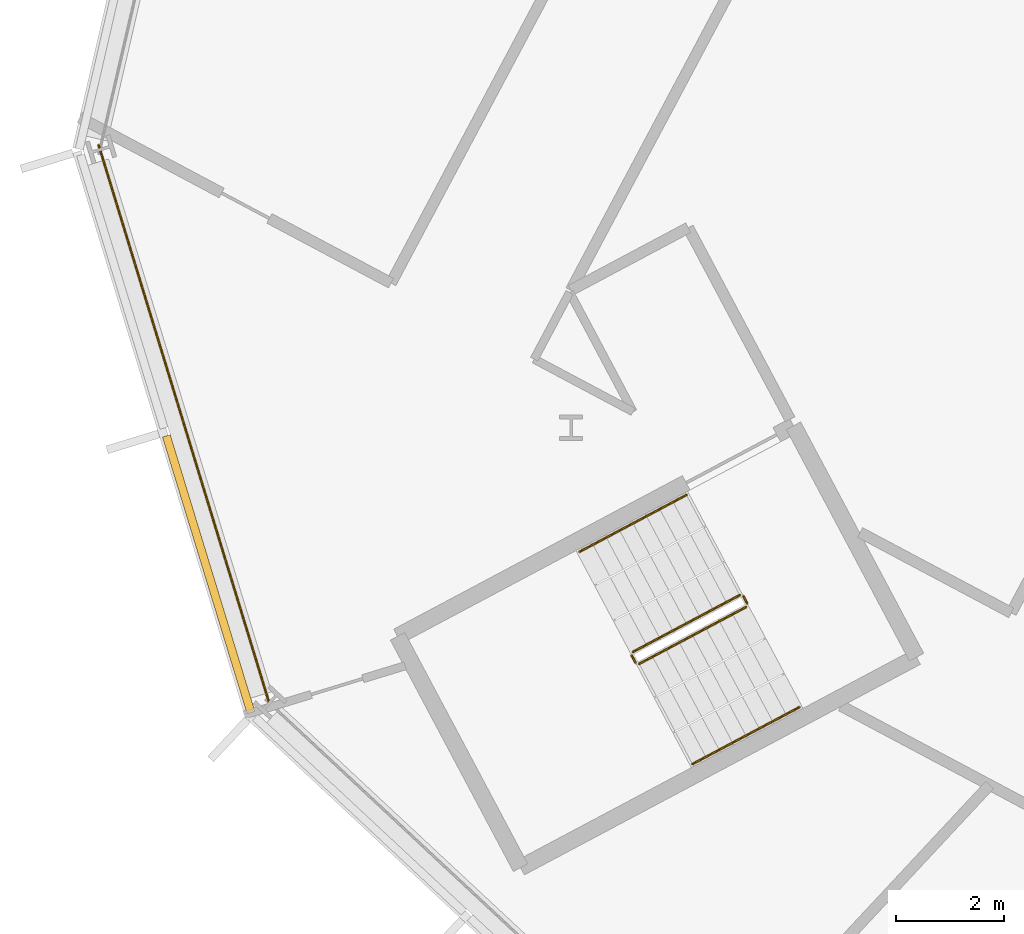
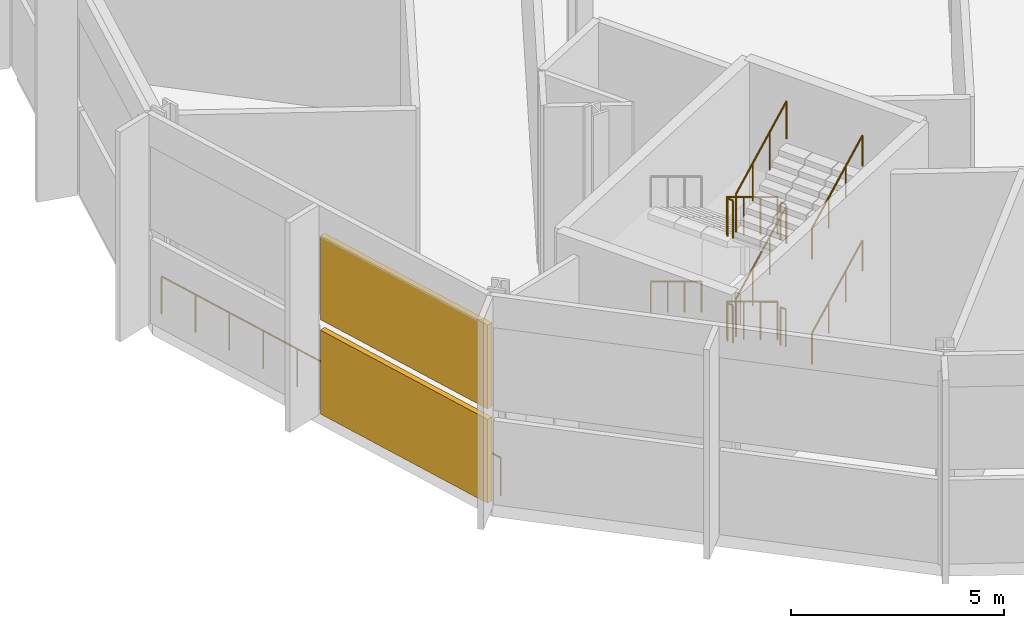
# One storey, part 23 of 33: 12 railings, 2 shading devices, 1 element without a shape of its own.
"""IFC4 building model written with IfcOpenShell, lengths in metres."""

from ifc_helpers import new_model, si_unit, direction, frame, origin, origin_2d, place, context, subcontext, project, spatial, polyline, rectangle, outline, extrude, material, layer, layer_set, type_object, element, aggregate, save


model = new_model("IFC4")

# Units and contexts
model_context = context("Model", 3, precision=1e-05, world=origin(), true_north=direction((0.0, 1.0)))
body_context = subcontext(model_context, "Body", "Model", "MODEL_VIEW")
ifc_project = project(units=[si_unit("LENGTHUNIT", "METRE"), si_unit("AREAUNIT", "SQUARE_METRE"), si_unit("VOLUMEUNIT", "CUBIC_METRE"), si_unit("PLANEANGLEUNIT", "RADIAN"), si_unit("MASSUNIT", "GRAM", prefix="KILO")], contexts=[model_context])

# Site, building, storey
site_placement = place(None, origin())
site = spatial("IfcSite", under=ifc_project, at=site_placement, CompositionType="ELEMENT")
building_placement = place(site_placement, origin())
building = spatial("IfcBuilding", under=site, at=building_placement, Name="Cormorant Relay Tower", CompositionType="ELEMENT")
storey_placement = place(building_placement, frame((0.0, 0.0, 183.60009765625)))
storey = spatial("IfcBuildingStorey", under=building, at=storey_placement, Name="L39", CompositionType="ELEMENT", Elevation=183.60009765625)

# Railing
ifc_material_1 = material(Name="Stainless steel 316 guard", Category="steel")
railing_type_1 = type_object("IfcRailingType", Name="Band louvre guard 1100", PredefinedType="GUARDRAIL", material=ifc_material_1)
railing_1_placement = place(storey_placement, frame((-60.43310546875, 20.48095703125, 0.0)))
element("IfcRailing", 1, at=railing_1_placement, inside=storey, type_object=railing_type_1, Name="CW4 guard 14", PredefinedType="GUARDRAIL", context=body_context, shape_type="SweptSolid", body=[
    extrude(outline(polyline([(0.022216796875, 0.00927734375), (0.00927734375, 0.022216796875), (-0.00927734375, 0.022216796875), (-0.022216796875, 0.00927734375), (-0.022216796875, -0.00927734375), (-0.00927734375, -0.022216796875), (0.00927734375, -0.022216796875), (0.022216796875, -0.00927734375), (0.022216796875, 0.00927734375)])), frame((0.0, 0.0, 1.076171875), z_axis=(0.292377729282, -0.95630291405, 0.0), x_axis=(0.95630291405, 0.292377729282, 0.0)), (0.0, 0.0, 1.0), 10.870361328125),
    extrude(outline(polyline([(0.019287109375, 0.008056640625), (0.008056640625, 0.019287109375), (-0.008056640625, 0.019287109375), (-0.019287109375, 0.008056640625), (-0.019287109375, -0.008056640625), (-0.008056640625, -0.019287109375), (0.008056640625, -0.019287109375), (0.019287109375, -0.008056640625), (0.019287109375, 0.008056640625)])), origin(), (0.0, 0.0, 1.0), 1.052001953125),
    extrude(outline(polyline([(0.019287109375, 0.008056640625), (0.008056640625, 0.019287109375), (-0.008056640625, 0.019287109375), (-0.019287109375, 0.008056640625), (-0.019287109375, -0.008056640625), (-0.008056640625, -0.019287109375), (0.008056640625, -0.019287109375), (0.019287109375, -0.008056640625), (0.019287109375, 0.008056640625)])), frame((0.31787109375, -1.03955078125, 0.0)), (0.0, 0.0, 1.0), 1.052001953125),
    extrude(outline(polyline([(0.019287109375, 0.008056640625), (0.008056640625, 0.019287109375), (-0.008056640625, 0.019287109375), (-0.019287109375, 0.008056640625), (-0.019287109375, -0.008056640625), (-0.008056640625, -0.019287109375), (0.008056640625, -0.019287109375), (0.019287109375, -0.008056640625), (0.019287109375, 0.008056640625)])), frame((0.6357421875, -2.0791015625, 0.0)), (0.0, 0.0, 1.0), 1.052001953125),
    extrude(outline(polyline([(0.019287109375, 0.008056640625), (0.008056640625, 0.019287109375), (-0.008056640625, 0.019287109375), (-0.019287109375, 0.008056640625), (-0.019287109375, -0.008056640625), (-0.008056640625, -0.019287109375), (0.008056640625, -0.019287109375), (0.019287109375, -0.008056640625), (0.019287109375, 0.008056640625)])), frame((0.953369140625, -3.11865234375, 0.0)), (0.0, 0.0, 1.0), 1.052001953125),
    extrude(outline(polyline([(0.019287109375, 0.008056640625), (0.008056640625, 0.019287109375), (-0.008056640625, 0.019287109375), (-0.019287109375, 0.008056640625), (-0.019287109375, -0.008056640625), (-0.008056640625, -0.019287109375), (0.008056640625, -0.019287109375), (0.019287109375, -0.008056640625), (0.019287109375, 0.008056640625)])), frame((1.271240234375, -4.158203125, 0.0)), (0.0, 0.0, 1.0), 1.052001953125),
    extrude(outline(polyline([(0.019287109375, 0.008056640625), (0.008056640625, 0.019287109375), (-0.008056640625, 0.019287109375), (-0.019287109375, 0.008056640625), (-0.019287109375, -0.008056640625), (-0.008056640625, -0.019287109375), (0.008056640625, -0.019287109375), (0.019287109375, -0.008056640625), (0.019287109375, 0.008056640625)])), frame((1.589111328125, -5.19775390625, 0.0)), (0.0, 0.0, 1.0), 1.052001953125),
    extrude(outline(polyline([(0.019287109375, 0.008056640625), (0.008056640625, 0.019287109375), (-0.008056640625, 0.019287109375), (-0.019287109375, 0.008056640625), (-0.019287109375, -0.008056640625), (-0.008056640625, -0.019287109375), (0.008056640625, -0.019287109375), (0.019287109375, -0.008056640625), (0.019287109375, 0.008056640625)])), frame((1.906982421875, -6.237060546875, 0.0)), (0.0, 0.0, 1.0), 1.052001953125),
    extrude(outline(polyline([(0.019287109375, 0.008056640625), (0.008056640625, 0.019287109375), (-0.008056640625, 0.019287109375), (-0.019287109375, 0.008056640625), (-0.019287109375, -0.008056640625), (-0.008056640625, -0.019287109375), (0.008056640625, -0.019287109375), (0.019287109375, -0.008056640625), (0.019287109375, 0.008056640625)])), frame((2.224853515625, -7.276611328125, 0.0)), (0.0, 0.0, 1.0), 1.052001953125),
    extrude(outline(polyline([(0.019287109375, 0.008056640625), (0.008056640625, 0.019287109375), (-0.008056640625, 0.019287109375), (-0.019287109375, 0.008056640625), (-0.019287109375, -0.008056640625), (-0.008056640625, -0.019287109375), (0.008056640625, -0.019287109375), (0.019287109375, -0.008056640625), (0.019287109375, 0.008056640625)])), frame((2.54248046875, -8.316162109375, 0.0)), (0.0, 0.0, 1.0), 1.052001953125),
    extrude(outline(polyline([(0.019287109375, 0.008056640625), (0.008056640625, 0.019287109375), (-0.008056640625, 0.019287109375), (-0.019287109375, 0.008056640625), (-0.019287109375, -0.008056640625), (-0.008056640625, -0.019287109375), (0.008056640625, -0.019287109375), (0.019287109375, -0.008056640625), (0.019287109375, 0.008056640625)])), frame((2.8603515625, -9.355712890625, 0.0)), (0.0, 0.0, 1.0), 1.052001953125),
    extrude(outline(polyline([(0.019287109375, 0.008056640625), (0.008056640625, 0.019287109375), (-0.008056640625, 0.019287109375), (-0.019287109375, 0.008056640625), (-0.019287109375, -0.008056640625), (-0.008056640625, -0.019287109375), (0.008056640625, -0.019287109375), (0.019287109375, -0.008056640625), (0.019287109375, 0.008056640625)])), frame((3.17822265625, -10.395263671875, 0.0)), (0.0, 0.0, 1.0), 1.052001953125),
])

# Curtain wall, shading devices
ifc_material_2 = material(Name="Aluminium 6063-T6 anodised bronze", Category="aluminium")
ifc_layer = layer(ifc_material_2, 0.199951171875)
ifc_layer_set = layer_set([ifc_layer], Name="CW4 band louvre wall")
curtain_wall_type = type_object("IfcCurtainWallType", Name="CW4 band louvre wall", PredefinedType="NOTDEFINED", material=ifc_layer_set)
curtain_wall_placement = place(storey_placement, origin())
curtain_wall = element("IfcCurtainWall", 2, at=curtain_wall_placement, inside=storey, type_object=curtain_wall_type, Name="CW4 curtain wall 14", PredefinedType="NOTDEFINED")
ifc_material_3 = material(Name="Aluminium 6063-T6 anodised bronze louvre", Category="aluminium")
shading_device_type = type_object("IfcShadingDeviceType", Name="CW4 bronze louvre bank 150 x 2400", PredefinedType="USERDEFINED", material=ifc_material_3)
shading_device_1_placement = place(storey_placement, frame((-58.39697265625, 12.5390625, 2.699951171875), z_axis=(0.0, 0.0, 1.0), x_axis=(0.292371704723, -0.956304755963, 0.0)))
shading_device_1 = element("IfcShadingDevice", 3, at=shading_device_1_placement, type_object=shading_device_type, Name="CW4 louvre bank U14.2", ObjectType="LOUVRE", PredefinedType="USERDEFINED", context=body_context, shape_type="SweptSolid", body=[
    extrude(rectangle(XDim=5.360107421875, YDim=0.14990234375, at=origin_2d()), origin(), (0.0, 0.0, 1.0), 2.39990234375),
])
shading_device_2_placement = place(storey_placement, frame((-58.39697265625, 12.5390625, 0.0), z_axis=(0.0, 0.0, 1.0), x_axis=(0.292371704723, -0.956304755963, 0.0)))
shading_device_2 = element("IfcShadingDevice", 4, at=shading_device_2_placement, type_object=shading_device_type, Name="CW4 louvre bank D14.2", ObjectType="LOUVRE", PredefinedType="USERDEFINED", context=body_context, shape_type="SweptSolid", body=[
    extrude(rectangle(XDim=5.360107421875, YDim=0.14990234375, at=origin_2d()), origin(), (0.0, 0.0, 1.0), 2.39990234375),
])
aggregate(curtain_wall, [shading_device_1, shading_device_2])

# Railings
ifc_material_4 = material(Name="Steel ASTM A572 Grade 50 (Fy 345 MPa)", Category="steel")
railing_type_2 = type_object("IfcRailingType", Name="Stair guard 1100", PredefinedType="GUARDRAIL", material=ifc_material_4)
railing_2_placement = place(storey_placement, frame((-48.5693359375, 12.155517578125, 0.16650390625)))
element("IfcRailing", 5, at=railing_2_placement, inside=storey, type_object=railing_type_2, Name="L39 RP1 stair guard 1", PredefinedType="GUARDRAIL", context=body_context, shape_type="SweptSolid", body=[
    extrude(outline(polyline([(0.022216796875, 0.00927734375), (0.00927734375, 0.022216796875), (-0.00927734375, 0.022216796875), (-0.022216796875, 0.00927734375), (-0.022216796875, -0.00927734375), (-0.00927734375, -0.022216796875), (0.00927734375, -0.022216796875), (0.022216796875, -0.00927734375), (0.022216796875, 0.00927734375)])), frame((0.0, 0.0, 1.076171875), z_axis=(-0.758666580042, -0.403448417087, 0.511521646734), x_axis=(0.469524402671, -0.882919495366, 0.0)), (0.0, 0.0, 1.0), 2.60693359375),
    extrude(outline(polyline([(0.019287109375, 0.008056640625), (0.008056640625, 0.019287109375), (-0.008056640625, 0.019287109375), (-0.019287109375, 0.008056640625), (-0.019287109375, -0.008056640625), (-0.008056640625, -0.019287109375), (0.008056640625, -0.019287109375), (0.019287109375, -0.008056640625), (0.019287109375, 0.008056640625)])), origin(), (0.0, 0.0, 1.0), 1.052001953125),
    extrude(outline(polyline([(0.019287109375, 0.008056640625), (0.008056640625, 0.019287109375), (-0.008056640625, 0.019287109375), (-0.019287109375, 0.008056640625), (-0.019287109375, -0.008056640625), (-0.008056640625, -0.019287109375), (0.008056640625, -0.019287109375), (0.019287109375, -0.008056640625), (0.019287109375, 0.008056640625)])), frame((-0.6591796875, -0.3505859375, 0.444580078125)), (0.0, 0.0, 1.0), 1.052001953125),
    extrude(outline(polyline([(0.019287109375, 0.008056640625), (0.008056640625, 0.019287109375), (-0.008056640625, 0.019287109375), (-0.019287109375, 0.008056640625), (-0.019287109375, -0.008056640625), (-0.008056640625, -0.019287109375), (0.008056640625, -0.019287109375), (0.019287109375, -0.008056640625), (0.019287109375, 0.008056640625)])), frame((-1.318603515625, -0.701171875, 0.888916015625)), (0.0, 0.0, 1.0), 1.052001953125),
    extrude(outline(polyline([(0.019287109375, 0.008056640625), (0.008056640625, 0.019287109375), (-0.008056640625, 0.019287109375), (-0.019287109375, 0.008056640625), (-0.019287109375, -0.008056640625), (-0.008056640625, -0.019287109375), (0.008056640625, -0.019287109375), (0.019287109375, -0.008056640625), (0.019287109375, 0.008056640625)])), frame((-1.977783203125, -1.0517578125, 1.33349609375)), (0.0, 0.0, 1.0), 1.052001953125),
])
railing_3_placement = place(storey_placement, frame((-50.56787109375, 11.0361328125, 1.5)))
element("IfcRailing", 6, at=railing_3_placement, inside=storey, type_object=railing_type_2, Name="L39 RP1 stair guard 2", PredefinedType="GUARDRAIL", context=body_context, shape_type="SweptSolid", body=[
    extrude(outline(polyline([(0.022216796875, 0.00927734375), (0.00927734375, 0.022216796875), (-0.00927734375, 0.022216796875), (-0.022216796875, 0.00927734375), (-0.022216796875, -0.00927734375), (-0.00927734375, -0.022216796875), (0.00927734375, -0.022216796875), (0.022216796875, -0.00927734375), (0.022216796875, 0.00927734375)])), frame((0.0, 0.0, 1.076171875), z_axis=(0.470503732759, -0.882398003998, 0.0), x_axis=(0.882398003998, 0.470503732759, 0.0)), (0.0, 0.0, 1.0), 0.14990234375),
    extrude(outline(polyline([(0.019287109375, 0.008056640625), (0.008056640625, 0.019287109375), (-0.008056640625, 0.019287109375), (-0.019287109375, 0.008056640625), (-0.019287109375, -0.008056640625), (-0.008056640625, -0.019287109375), (0.008056640625, -0.019287109375), (0.019287109375, -0.008056640625), (0.019287109375, 0.008056640625)])), origin(), (0.0, 0.0, 1.0), 1.052001953125),
    extrude(outline(polyline([(0.019287109375, 0.008056640625), (0.008056640625, 0.019287109375), (-0.008056640625, 0.019287109375), (-0.019287109375, 0.008056640625), (-0.019287109375, -0.008056640625), (-0.008056640625, -0.019287109375), (0.008056640625, -0.019287109375), (0.019287109375, -0.008056640625), (0.019287109375, 0.008056640625)])), frame((0.070556640625, -0.13232421875, 0.0)), (0.0, 0.0, 1.0), 1.052001953125),
])
railing_4_placement = place(storey_placement, frame((-50.429931640625, 10.883056640625, 1.66650390625)))
element("IfcRailing", 7, at=railing_4_placement, inside=storey, type_object=railing_type_2, Name="L39 RP1 stair guard 3", PredefinedType="GUARDRAIL", context=body_context, shape_type="SweptSolid", body=[
    extrude(outline(polyline([(0.022216796875, 0.00927734375), (0.00927734375, 0.022216796875), (-0.00927734375, 0.022216796875), (-0.022216796875, 0.00927734375), (-0.022216796875, -0.00927734375), (-0.00927734375, -0.022216796875), (0.00927734375, -0.022216796875), (0.022216796875, -0.00927734375), (0.022216796875, 0.00927734375)])), frame((0.0, 0.0, 1.076171875), z_axis=(0.758734984307, 0.403341345027, 0.511504626547), x_axis=(-0.469394259828, 0.88298869123, 0.0)), (0.0, 0.0, 1.0), 2.60693359375),
    extrude(outline(polyline([(0.019287109375, 0.008056640625), (0.008056640625, 0.019287109375), (-0.008056640625, 0.019287109375), (-0.019287109375, 0.008056640625), (-0.019287109375, -0.008056640625), (-0.008056640625, -0.019287109375), (0.008056640625, -0.019287109375), (0.019287109375, -0.008056640625), (0.019287109375, 0.008056640625)])), origin(), (0.0, 0.0, 1.0), 1.052001953125),
    extrude(outline(polyline([(0.019287109375, 0.008056640625), (0.008056640625, 0.019287109375), (-0.008056640625, 0.019287109375), (-0.019287109375, 0.008056640625), (-0.019287109375, -0.008056640625), (-0.008056640625, -0.019287109375), (0.008056640625, -0.019287109375), (0.019287109375, -0.008056640625), (0.019287109375, 0.008056640625)])), frame((0.659423828125, 0.3505859375, 0.444580078125)), (0.0, 0.0, 1.0), 1.052001953125),
    extrude(outline(polyline([(0.019287109375, 0.008056640625), (0.008056640625, 0.019287109375), (-0.008056640625, 0.019287109375), (-0.019287109375, 0.008056640625), (-0.019287109375, -0.008056640625), (-0.008056640625, -0.019287109375), (0.008056640625, -0.019287109375), (0.019287109375, -0.008056640625), (0.019287109375, 0.008056640625)])), frame((1.318603515625, 0.700927734375, 0.888916015625)), (0.0, 0.0, 1.0), 1.052001953125),
    extrude(outline(polyline([(0.019287109375, 0.008056640625), (0.008056640625, 0.019287109375), (-0.008056640625, 0.019287109375), (-0.019287109375, 0.008056640625), (-0.019287109375, -0.008056640625), (-0.008056640625, -0.019287109375), (0.008056640625, -0.019287109375), (0.019287109375, -0.008056640625), (0.019287109375, 0.008056640625)])), frame((1.97802734375, 1.051513671875, 1.33349609375)), (0.0, 0.0, 1.0), 1.052001953125),
])
railing_5_placement = place(storey_placement, frame((-48.501708984375, 12.134765625, 3.0)))
element("IfcRailing", 8, at=railing_5_placement, inside=storey, type_object=railing_type_2, Name="L39 RP1 stair guard 4", PredefinedType="GUARDRAIL", context=body_context, shape_type="SweptSolid", body=[
    extrude(outline(polyline([(0.022216796875, 0.00927734375), (0.00927734375, 0.022216796875), (-0.00927734375, 0.022216796875), (-0.022216796875, 0.00927734375), (-0.022216796875, -0.00927734375), (-0.00927734375, -0.022216796875), (0.00927734375, -0.022216796875), (0.022216796875, -0.00927734375), (0.022216796875, 0.00927734375)])), frame((0.0, 0.0, 1.076171875), z_axis=(0.46856034887, -0.8834314911, 0.0), x_axis=(0.8834314911, 0.46856034887, 0.0)), (0.0, 0.0, 1.0), 0.150146484375),
    extrude(outline(polyline([(0.019287109375, 0.008056640625), (0.008056640625, 0.019287109375), (-0.008056640625, 0.019287109375), (-0.019287109375, 0.008056640625), (-0.019287109375, -0.008056640625), (-0.008056640625, -0.019287109375), (0.008056640625, -0.019287109375), (0.019287109375, -0.008056640625), (0.019287109375, 0.008056640625)])), origin(), (0.0, 0.0, 1.0), 1.052001953125),
    extrude(outline(polyline([(0.019287109375, 0.008056640625), (0.008056640625, 0.019287109375), (-0.008056640625, 0.019287109375), (-0.019287109375, 0.008056640625), (-0.019287109375, -0.008056640625), (-0.008056640625, -0.019287109375), (0.008056640625, -0.019287109375), (0.019287109375, -0.008056640625), (0.019287109375, 0.008056640625)])), frame((0.0703125, -0.132568359375, 0.0)), (0.0, 0.0, 1.0), 1.052001953125),
])
railing_6_placement = place(storey_placement, frame((-48.5693359375, 12.155517578125, 3.16650390625)))
element("IfcRailing", 9, at=railing_6_placement, inside=storey, type_object=railing_type_2, Name="L39 RP1 stair guard 5", PredefinedType="GUARDRAIL", context=body_context, shape_type="SweptSolid", body=[
    extrude(outline(polyline([(0.022216796875, 0.00927734375), (0.00927734375, 0.022216796875), (-0.00927734375, 0.022216796875), (-0.022216796875, 0.00927734375), (-0.022216796875, -0.00927734375), (-0.00927734375, -0.022216796875), (0.00927734375, -0.022216796875), (0.022216796875, -0.00927734375), (0.022216796875, 0.00927734375)])), frame((0.0, 0.0, 1.076171875), z_axis=(-0.758666580042, -0.403448417087, 0.511521646734), x_axis=(0.469524402671, -0.882919495366, 0.0)), (0.0, 0.0, 1.0), 2.60693359375),
    extrude(outline(polyline([(0.019287109375, 0.008056640625), (0.008056640625, 0.019287109375), (-0.008056640625, 0.019287109375), (-0.019287109375, 0.008056640625), (-0.019287109375, -0.008056640625), (-0.008056640625, -0.019287109375), (0.008056640625, -0.019287109375), (0.019287109375, -0.008056640625), (0.019287109375, 0.008056640625)])), origin(), (0.0, 0.0, 1.0), 1.052001953125),
    extrude(outline(polyline([(0.019287109375, 0.008056640625), (0.008056640625, 0.019287109375), (-0.008056640625, 0.019287109375), (-0.019287109375, 0.008056640625), (-0.019287109375, -0.008056640625), (-0.008056640625, -0.019287109375), (0.008056640625, -0.019287109375), (0.019287109375, -0.008056640625), (0.019287109375, 0.008056640625)])), frame((-0.6591796875, -0.3505859375, 0.444580078125)), (0.0, 0.0, 1.0), 1.052001953125),
    extrude(outline(polyline([(0.019287109375, 0.008056640625), (0.008056640625, 0.019287109375), (-0.008056640625, 0.019287109375), (-0.019287109375, 0.008056640625), (-0.019287109375, -0.008056640625), (-0.008056640625, -0.019287109375), (0.008056640625, -0.019287109375), (0.019287109375, -0.008056640625), (0.019287109375, 0.008056640625)])), frame((-1.318603515625, -0.701171875, 0.888916015625)), (0.0, 0.0, 1.0), 1.052001953125),
    extrude(outline(polyline([(0.019287109375, 0.008056640625), (0.008056640625, 0.019287109375), (-0.008056640625, 0.019287109375), (-0.019287109375, 0.008056640625), (-0.019287109375, -0.008056640625), (-0.008056640625, -0.019287109375), (0.008056640625, -0.019287109375), (0.019287109375, -0.008056640625), (0.019287109375, 0.008056640625)])), frame((-1.977783203125, -1.0517578125, 1.33349609375)), (0.0, 0.0, 1.0), 1.052001953125),
])
railing_7_placement = place(storey_placement, frame((-50.56787109375, 11.0361328125, 4.5)))
element("IfcRailing", 10, at=railing_7_placement, inside=storey, type_object=railing_type_2, Name="L39 RP1 stair guard 6", PredefinedType="GUARDRAIL", context=body_context, shape_type="SweptSolid", body=[
    extrude(outline(polyline([(0.022216796875, 0.00927734375), (0.00927734375, 0.022216796875), (-0.00927734375, 0.022216796875), (-0.022216796875, 0.00927734375), (-0.022216796875, -0.00927734375), (-0.00927734375, -0.022216796875), (0.00927734375, -0.022216796875), (0.022216796875, -0.00927734375), (0.022216796875, 0.00927734375)])), frame((0.0, 0.0, 1.076171875), z_axis=(0.470503732759, -0.882398003998, 0.0), x_axis=(0.882398003998, 0.470503732759, 0.0)), (0.0, 0.0, 1.0), 0.14990234375),
    extrude(outline(polyline([(0.019287109375, 0.008056640625), (0.008056640625, 0.019287109375), (-0.008056640625, 0.019287109375), (-0.019287109375, 0.008056640625), (-0.019287109375, -0.008056640625), (-0.008056640625, -0.019287109375), (0.008056640625, -0.019287109375), (0.019287109375, -0.008056640625), (0.019287109375, 0.008056640625)])), origin(), (0.0, 0.0, 1.0), 1.052001953125),
    extrude(outline(polyline([(0.019287109375, 0.008056640625), (0.008056640625, 0.019287109375), (-0.008056640625, 0.019287109375), (-0.019287109375, 0.008056640625), (-0.019287109375, -0.008056640625), (-0.008056640625, -0.019287109375), (0.008056640625, -0.019287109375), (0.019287109375, -0.008056640625), (0.019287109375, 0.008056640625)])), frame((0.070556640625, -0.13232421875, 0.0)), (0.0, 0.0, 1.0), 1.052001953125),
])
railing_8_placement = place(storey_placement, frame((-50.429931640625, 10.883056640625, 4.66650390625)))
element("IfcRailing", 11, at=railing_8_placement, inside=storey, type_object=railing_type_2, Name="L39 RP1 stair guard 7", PredefinedType="GUARDRAIL", context=body_context, shape_type="SweptSolid", body=[
    extrude(outline(polyline([(0.022216796875, 0.00927734375), (0.00927734375, 0.022216796875), (-0.00927734375, 0.022216796875), (-0.022216796875, 0.00927734375), (-0.022216796875, -0.00927734375), (-0.00927734375, -0.022216796875), (0.00927734375, -0.022216796875), (0.022216796875, -0.00927734375), (0.022216796875, 0.00927734375)])), frame((0.0, 0.0, 1.076171875), z_axis=(0.758734984307, 0.403341345027, 0.511504626547), x_axis=(-0.469394259828, 0.88298869123, 0.0)), (0.0, 0.0, 1.0), 2.60693359375),
    extrude(outline(polyline([(0.019287109375, 0.008056640625), (0.008056640625, 0.019287109375), (-0.008056640625, 0.019287109375), (-0.019287109375, 0.008056640625), (-0.019287109375, -0.008056640625), (-0.008056640625, -0.019287109375), (0.008056640625, -0.019287109375), (0.019287109375, -0.008056640625), (0.019287109375, 0.008056640625)])), origin(), (0.0, 0.0, 1.0), 1.052001953125),
    extrude(outline(polyline([(0.019287109375, 0.008056640625), (0.008056640625, 0.019287109375), (-0.008056640625, 0.019287109375), (-0.019287109375, 0.008056640625), (-0.019287109375, -0.008056640625), (-0.008056640625, -0.019287109375), (0.008056640625, -0.019287109375), (0.019287109375, -0.008056640625), (0.019287109375, 0.008056640625)])), frame((0.659423828125, 0.3505859375, 0.444580078125)), (0.0, 0.0, 1.0), 1.052001953125),
    extrude(outline(polyline([(0.019287109375, 0.008056640625), (0.008056640625, 0.019287109375), (-0.008056640625, 0.019287109375), (-0.019287109375, 0.008056640625), (-0.019287109375, -0.008056640625), (-0.008056640625, -0.019287109375), (0.008056640625, -0.019287109375), (0.019287109375, -0.008056640625), (0.019287109375, 0.008056640625)])), frame((1.318603515625, 0.700927734375, 0.888916015625)), (0.0, 0.0, 1.0), 1.052001953125),
    extrude(outline(polyline([(0.019287109375, 0.008056640625), (0.008056640625, 0.019287109375), (-0.008056640625, 0.019287109375), (-0.019287109375, 0.008056640625), (-0.019287109375, -0.008056640625), (-0.008056640625, -0.019287109375), (0.008056640625, -0.019287109375), (0.019287109375, -0.008056640625), (0.019287109375, 0.008056640625)])), frame((1.97802734375, 1.051513671875, 1.33349609375)), (0.0, 0.0, 1.0), 1.052001953125),
])
railing_9_placement = place(storey_placement, frame((-48.501708984375, 12.134765625, 0.0)))
element("IfcRailing", 12, at=railing_9_placement, inside=storey, type_object=railing_type_2, Name="L39 RP1 stair guard 8", PredefinedType="GUARDRAIL", context=body_context, shape_type="SweptSolid", body=[
    extrude(outline(polyline([(0.022216796875, 0.00927734375), (0.00927734375, 0.022216796875), (-0.00927734375, 0.022216796875), (-0.022216796875, 0.00927734375), (-0.022216796875, -0.00927734375), (-0.00927734375, -0.022216796875), (0.00927734375, -0.022216796875), (0.022216796875, -0.00927734375), (0.022216796875, 0.00927734375)])), frame((0.0, 0.0, 1.076171875), z_axis=(0.46856034887, -0.8834314911, 0.0), x_axis=(0.8834314911, 0.46856034887, 0.0)), (0.0, 0.0, 1.0), 0.150146484375),
    extrude(outline(polyline([(0.019287109375, 0.008056640625), (0.008056640625, 0.019287109375), (-0.008056640625, 0.019287109375), (-0.019287109375, 0.008056640625), (-0.019287109375, -0.008056640625), (-0.008056640625, -0.019287109375), (0.008056640625, -0.019287109375), (0.019287109375, -0.008056640625), (0.019287109375, 0.008056640625)])), origin(), (0.0, 0.0, 1.0), 1.052001953125),
    extrude(outline(polyline([(0.019287109375, 0.008056640625), (0.008056640625, 0.019287109375), (-0.008056640625, 0.019287109375), (-0.019287109375, 0.008056640625), (-0.019287109375, -0.008056640625), (-0.008056640625, -0.019287109375), (0.008056640625, -0.019287109375), (0.019287109375, -0.008056640625), (0.019287109375, 0.008056640625)])), frame((0.0703125, -0.132568359375, 0.0)), (0.0, 0.0, 1.0), 1.052001953125),
])
ifc_material_5 = material(Name="Steel ASTM A572 Grade 50 (Fy 345 MPa)", Category="steel")
railing_type_3 = type_object("IfcRailingType", Name="Stair handrail 900", PredefinedType="HANDRAIL", material=ifc_material_5)
railing_10_placement = place(storey_placement, frame((-49.55517578125, 14.009521484375, 0.16650390625)))
element("IfcRailing", 13, at=railing_10_placement, inside=storey, type_object=railing_type_3, Name="L39 RP1 stair handrail 1", PredefinedType="HANDRAIL", context=body_context, shape_type="SweptSolid", body=[
    extrude(outline(polyline([(0.022216796875, 0.00927734375), (0.00927734375, 0.022216796875), (-0.00927734375, 0.022216796875), (-0.022216796875, 0.00927734375), (-0.022216796875, -0.00927734375), (-0.00927734375, -0.022216796875), (0.00927734375, -0.022216796875), (0.022216796875, -0.00927734375), (0.022216796875, 0.00927734375)])), frame((0.0, 0.0, 0.8759765625), z_axis=(-0.758695243296, -0.403370005293, 0.511540972582), x_axis=(0.469439434157, -0.882964675204, 0.0)), (0.0, 0.0, 1.0), 2.60693359375),
    extrude(outline(polyline([(0.019287109375, 0.008056640625), (0.008056640625, 0.019287109375), (-0.008056640625, 0.019287109375), (-0.019287109375, 0.008056640625), (-0.019287109375, -0.008056640625), (-0.008056640625, -0.019287109375), (0.008056640625, -0.019287109375), (0.019287109375, -0.008056640625), (0.019287109375, 0.008056640625)])), origin(), (0.0, 0.0, 1.0), 0.851806640625),
    extrude(outline(polyline([(0.019287109375, 0.008056640625), (0.008056640625, 0.019287109375), (-0.008056640625, 0.019287109375), (-0.019287109375, 0.008056640625), (-0.019287109375, -0.008056640625), (-0.008056640625, -0.019287109375), (0.008056640625, -0.019287109375), (0.019287109375, -0.008056640625), (0.019287109375, 0.008056640625)])), frame((-0.6591796875, -0.3505859375, 0.444580078125)), (0.0, 0.0, 1.0), 0.851806640625),
    extrude(outline(polyline([(0.019287109375, 0.008056640625), (0.008056640625, 0.019287109375), (-0.008056640625, 0.019287109375), (-0.019287109375, 0.008056640625), (-0.019287109375, -0.008056640625), (-0.008056640625, -0.019287109375), (0.008056640625, -0.019287109375), (0.019287109375, -0.008056640625), (0.019287109375, 0.008056640625)])), frame((-1.318603515625, -0.700927734375, 0.888916015625)), (0.0, 0.0, 1.0), 0.851806640625),
    extrude(outline(polyline([(0.019287109375, 0.008056640625), (0.008056640625, 0.019287109375), (-0.008056640625, 0.019287109375), (-0.019287109375, 0.008056640625), (-0.019287109375, -0.008056640625), (-0.008056640625, -0.019287109375), (0.008056640625, -0.019287109375), (0.019287109375, -0.008056640625), (0.019287109375, 0.008056640625)])), frame((-1.977783203125, -1.051513671875, 1.33349609375)), (0.0, 0.0, 1.0), 0.851806640625),
])
railing_11_placement = place(storey_placement, frame((-49.44384765625, 9.02880859375, 1.66650390625)))
element("IfcRailing", 14, at=railing_11_placement, inside=storey, type_object=railing_type_3, Name="L39 RP1 stair handrail 2", PredefinedType="HANDRAIL", context=body_context, shape_type="SweptSolid", body=[
    extrude(outline(polyline([(0.022216796875, 0.00927734375), (0.00927734375, 0.022216796875), (-0.00927734375, 0.022216796875), (-0.022216796875, 0.00927734375), (-0.022216796875, -0.00927734375), (-0.00927734375, -0.022216796875), (0.00927734375, -0.022216796875), (0.022216796875, -0.00927734375), (0.022216796875, 0.00927734375)])), frame((0.0, 0.0, 0.8759765625), z_axis=(0.758666580042, 0.403448417087, 0.511521646734), x_axis=(-0.469524402671, 0.882919495366, 0.0)), (0.0, 0.0, 1.0), 2.60693359375),
    extrude(outline(polyline([(0.019287109375, 0.008056640625), (0.008056640625, 0.019287109375), (-0.008056640625, 0.019287109375), (-0.019287109375, 0.008056640625), (-0.019287109375, -0.008056640625), (-0.008056640625, -0.019287109375), (0.008056640625, -0.019287109375), (0.019287109375, -0.008056640625), (0.019287109375, 0.008056640625)])), origin(), (0.0, 0.0, 1.0), 0.851806640625),
    extrude(outline(polyline([(0.019287109375, 0.008056640625), (0.008056640625, 0.019287109375), (-0.008056640625, 0.019287109375), (-0.019287109375, 0.008056640625), (-0.019287109375, -0.008056640625), (-0.008056640625, -0.019287109375), (0.008056640625, -0.019287109375), (0.019287109375, -0.008056640625), (0.019287109375, 0.008056640625)])), frame((0.6591796875, 0.3505859375, 0.444580078125)), (0.0, 0.0, 1.0), 0.851806640625),
    extrude(outline(polyline([(0.019287109375, 0.008056640625), (0.008056640625, 0.019287109375), (-0.008056640625, 0.019287109375), (-0.019287109375, 0.008056640625), (-0.019287109375, -0.008056640625), (-0.008056640625, -0.019287109375), (0.008056640625, -0.019287109375), (0.019287109375, -0.008056640625), (0.019287109375, 0.008056640625)])), frame((1.318603515625, 0.701171875, 0.888916015625)), (0.0, 0.0, 1.0), 0.851806640625),
    extrude(outline(polyline([(0.019287109375, 0.008056640625), (0.008056640625, 0.019287109375), (-0.008056640625, 0.019287109375), (-0.019287109375, 0.008056640625), (-0.019287109375, -0.008056640625), (-0.008056640625, -0.019287109375), (0.008056640625, -0.019287109375), (0.019287109375, -0.008056640625), (0.019287109375, 0.008056640625)])), frame((1.977783203125, 1.0517578125, 1.33349609375)), (0.0, 0.0, 1.0), 0.851806640625),
])
railing_12_placement = place(storey_placement, frame((-49.44384765625, 9.02880859375, 4.66650390625)))
element("IfcRailing", 15, at=railing_12_placement, inside=storey, type_object=railing_type_3, Name="L39 RP1 stair handrail 4", PredefinedType="HANDRAIL", context=body_context, shape_type="SweptSolid", body=[
    extrude(outline(polyline([(0.022216796875, 0.00927734375), (0.00927734375, 0.022216796875), (-0.00927734375, 0.022216796875), (-0.022216796875, 0.00927734375), (-0.022216796875, -0.00927734375), (-0.00927734375, -0.022216796875), (0.00927734375, -0.022216796875), (0.022216796875, -0.00927734375), (0.022216796875, 0.00927734375)])), frame((0.0, 0.0, 0.8759765625), z_axis=(0.758666580042, 0.403448417087, 0.511521646734), x_axis=(-0.469524402671, 0.882919495366, 0.0)), (0.0, 0.0, 1.0), 2.60693359375),
    extrude(outline(polyline([(0.019287109375, 0.008056640625), (0.008056640625, 0.019287109375), (-0.008056640625, 0.019287109375), (-0.019287109375, 0.008056640625), (-0.019287109375, -0.008056640625), (-0.008056640625, -0.019287109375), (0.008056640625, -0.019287109375), (0.019287109375, -0.008056640625), (0.019287109375, 0.008056640625)])), origin(), (0.0, 0.0, 1.0), 0.851806640625),
    extrude(outline(polyline([(0.019287109375, 0.008056640625), (0.008056640625, 0.019287109375), (-0.008056640625, 0.019287109375), (-0.019287109375, 0.008056640625), (-0.019287109375, -0.008056640625), (-0.008056640625, -0.019287109375), (0.008056640625, -0.019287109375), (0.019287109375, -0.008056640625), (0.019287109375, 0.008056640625)])), frame((0.6591796875, 0.3505859375, 0.444580078125)), (0.0, 0.0, 1.0), 0.851806640625),
    extrude(outline(polyline([(0.019287109375, 0.008056640625), (0.008056640625, 0.019287109375), (-0.008056640625, 0.019287109375), (-0.019287109375, 0.008056640625), (-0.019287109375, -0.008056640625), (-0.008056640625, -0.019287109375), (0.008056640625, -0.019287109375), (0.019287109375, -0.008056640625), (0.019287109375, 0.008056640625)])), frame((1.318603515625, 0.701171875, 0.888916015625)), (0.0, 0.0, 1.0), 0.851806640625),
    extrude(outline(polyline([(0.019287109375, 0.008056640625), (0.008056640625, 0.019287109375), (-0.008056640625, 0.019287109375), (-0.019287109375, 0.008056640625), (-0.019287109375, -0.008056640625), (-0.008056640625, -0.019287109375), (0.008056640625, -0.019287109375), (0.019287109375, -0.008056640625), (0.019287109375, 0.008056640625)])), frame((1.977783203125, 1.0517578125, 1.33349609375)), (0.0, 0.0, 1.0), 0.851806640625),
])

save(model, "model.ifc")
